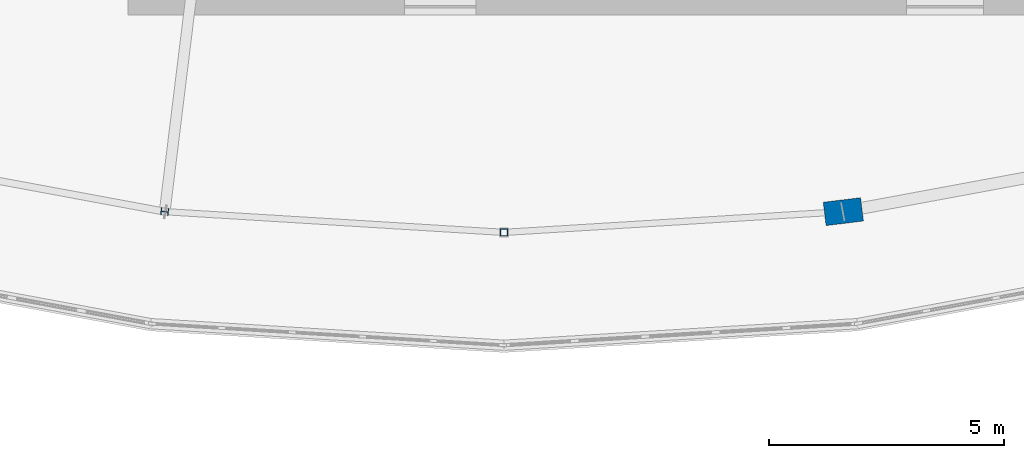
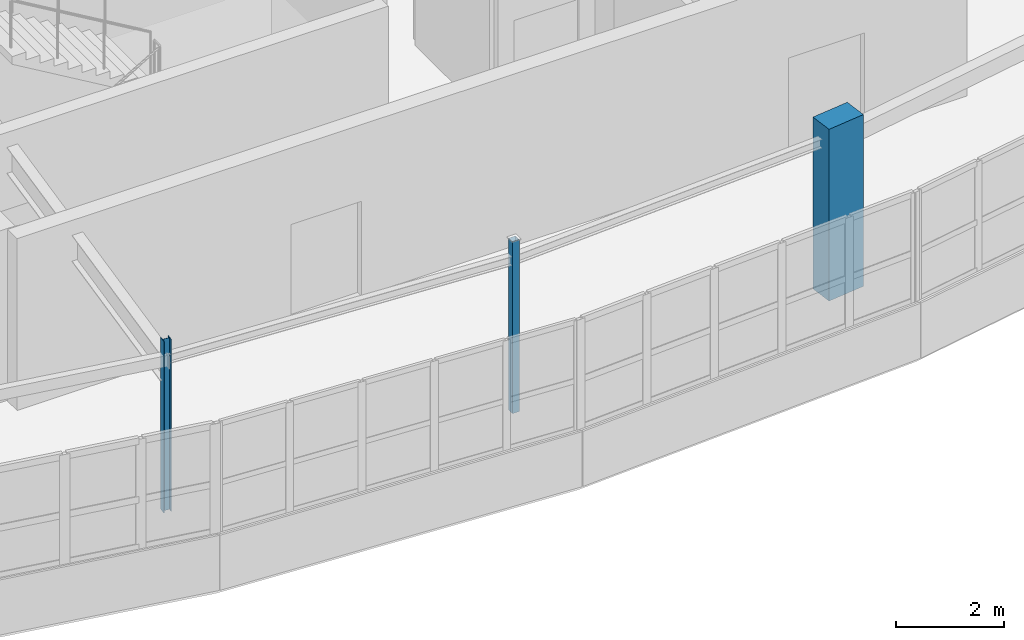
# One storey, part 3 of 79: 3 columns.
"""IFC4 building model written with IfcOpenShell, lengths in metres."""

from ifc_helpers import new_model, si_unit, direction, frame, origin, origin_2d, place, context, subcontext, project, spatial, rectangle, hollow_rectangle, i_section, extrude, material, material_profile, profile_set, type_object, element, save


model = new_model("IFC4")

# Units and contexts
model_context = context("Model", 3, precision=1e-05, world=origin(), true_north=direction((0.0, 1.0)))
body_context = subcontext(model_context, "Body", "Model", "MODEL_VIEW")
ifc_project = project(units=[si_unit("LENGTHUNIT", "METRE"), si_unit("AREAUNIT", "SQUARE_METRE"), si_unit("VOLUMEUNIT", "CUBIC_METRE"), si_unit("PLANEANGLEUNIT", "RADIAN"), si_unit("MASSUNIT", "GRAM", prefix="KILO")], contexts=[model_context])

# Site, building, storey
site_placement = place(None, origin())
site = spatial("IfcSite", under=ifc_project, at=site_placement, CompositionType="ELEMENT")
building_placement = place(site_placement, origin())
building = spatial("IfcBuilding", under=site, at=building_placement, Name="Tarnwether General Hospital", CompositionType="ELEMENT")
storey_placement = place(building_placement, frame((0.0, 0.0, 18.300048828125)))
storey = spatial("IfcBuildingStorey", under=building, at=storey_placement, Name="L04", CompositionType="ELEMENT", Elevation=18.300048828125)

# Columns
ifc_material_1 = material(Name="Concrete 50 MPa", Category="concrete")
ifc_material_profile_1 = material_profile(ifc_material_1, rectangle(XDim=0.5, YDim=0.800048828125, at=origin_2d()), Name="RC-PIL-500x800")
ifc_profile_set_1 = profile_set([ifc_material_profile_1], Name="Concrete 50 MPa")
column_type_1 = type_object("IfcColumnType", Name="COL-23", PredefinedType="PILASTER", material=ifc_profile_set_1)
column_1_placement = place(storey_placement, frame((99.215087890625, 4.240966796875, 0.0), z_axis=(0.0, 0.0, 1.0), x_axis=(-0.121869343405, 0.992546151641, 0.0)))
element("IfcColumn", 1, at=column_1_placement, inside=storey, type_object=column_type_1, Name="Column COLG-L04-9922_424", PredefinedType="PILASTER", context=body_context, shape_type="SweptSolid", body=[
    extrude(rectangle(XDim=0.5, YDim=0.800048828125, at=origin_2d()), origin(), (0.0, 0.0, 1.0), 3.89990234375),
])
ifc_material_2 = material(Name="Steel Grade 350 (350 MPa)", Category="steel")
ifc_material_profile_2 = material_profile(ifc_material_2, i_section(OverallWidth=0.153076171875, OverallDepth=0.157958984375, WebThickness=0.006591796875, FlangeThickness=0.009521484375, at=origin_2d()), Name="150UC30.0")
ifc_profile_set_2 = profile_set([ifc_material_profile_2], Name="Steel Grade 350 (350 MPa)")
column_type_2 = type_object("IfcColumnType", Name="COL-31", PredefinedType="COLUMN", material=ifc_profile_set_2)
column_2_placement = place(storey_placement, frame((84.784912109375, 4.240966796875, 0.0), z_axis=(0.0, 0.0, 1.0), x_axis=(0.121869343405, 0.992546151641, 0.0)))
element("IfcColumn", 2, at=column_2_placement, inside=storey, type_object=column_type_2, Name="Column COLG-L04-8478_424", PredefinedType="COLUMN", context=body_context, shape_type="SweptSolid", body=[
    extrude(i_section(OverallWidth=0.153076171875, OverallDepth=0.157958984375, WebThickness=0.006591796875, FlangeThickness=0.009521484375, at=origin_2d()), origin(), (0.0, 0.0, 1.0), 3.89990234375),
])
ifc_material_3 = material(Name="Steel Grade C350L0 (350 MPa)", Category="steel")
ifc_material_profile_3 = material_profile(ifc_material_3, hollow_rectangle(XDim=0.14990234375, YDim=0.14990234375, WallThickness=0.008056640625, at=origin_2d()), Name="SHS150x150x8")
ifc_profile_set_3 = profile_set([ifc_material_profile_3], Name="Steel Grade C350L0 (350 MPa)")
column_type_3 = type_object("IfcColumnType", Name="COL-33", PredefinedType="COLUMN", material=ifc_profile_set_3)
column_3_placement = place(storey_placement, frame((92.0, 3.800048828125, 0.0), z_axis=(0.0, 0.0, 1.0), x_axis=(0.0, 1.0, 0.0)))
element("IfcColumn", 3, at=column_3_placement, inside=storey, type_object=column_type_3, Name="Column COLG-L04-9200_380", PredefinedType="COLUMN", context=body_context, shape_type="SweptSolid", body=[
    extrude(hollow_rectangle(XDim=0.14990234375, YDim=0.14990234375, WallThickness=0.008056640625, at=origin_2d()), origin(), (0.0, 0.0, 1.0), 3.89990234375),
])

save(model, "model.ifc")
